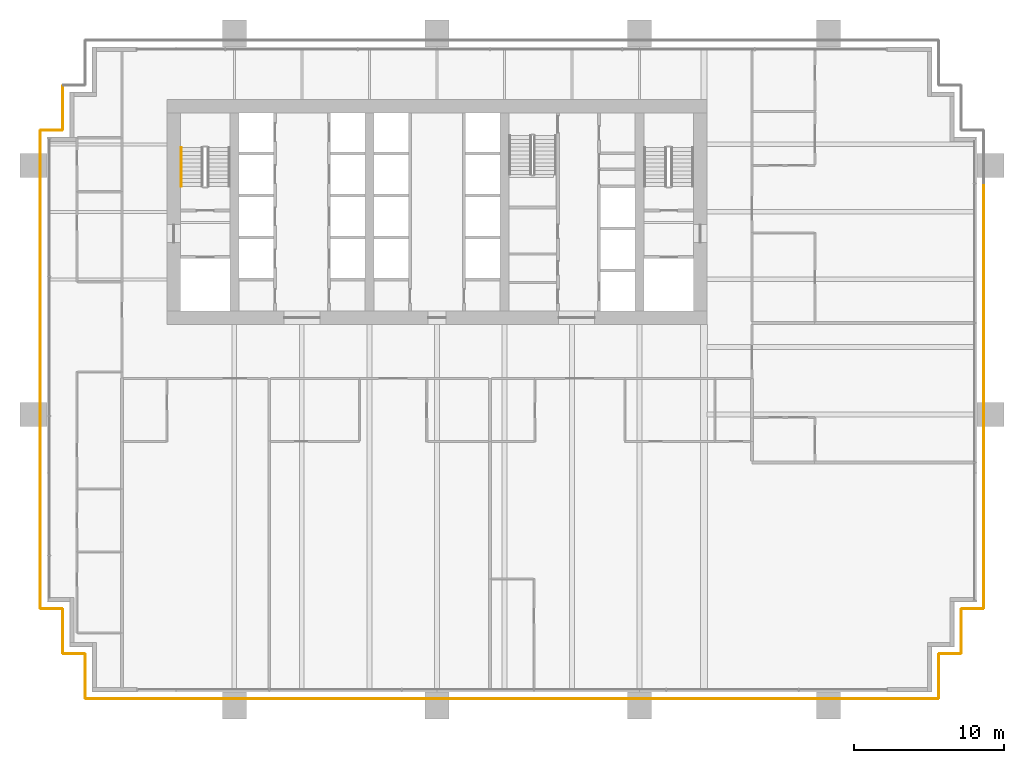
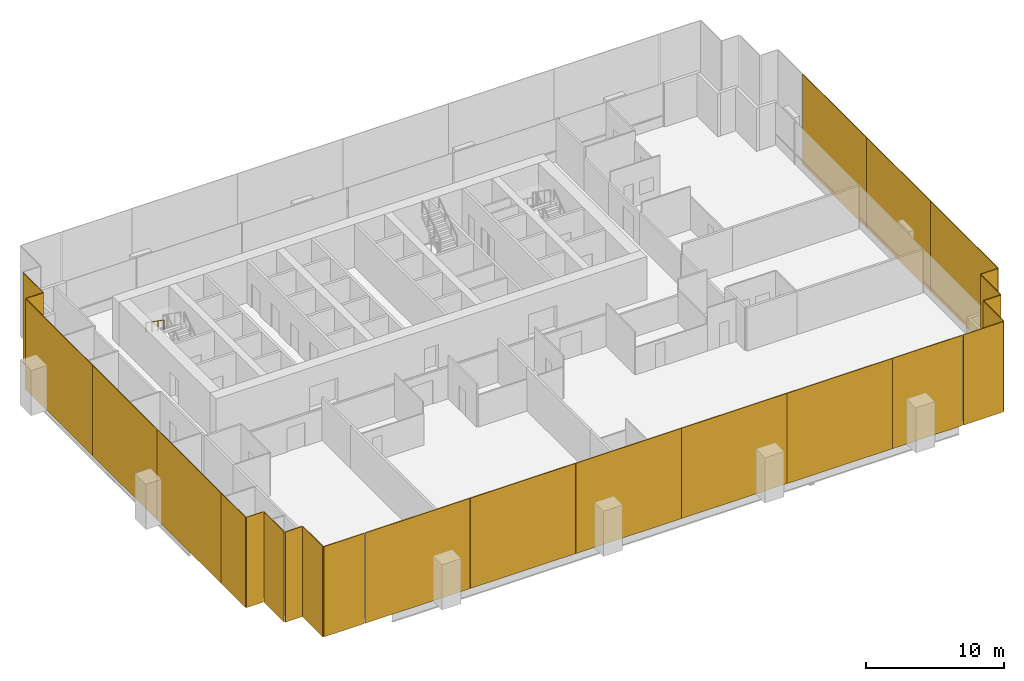
# One storey, part 17 of 19: 25 coverings, 1 railing.
"""IFC4 building model written with IfcOpenShell, lengths in metres."""

from ifc_helpers import new_model, si_unit, direction, frame, origin, origin_2d, place, context, subcontext, project, spatial, rectangle, extrude, material, layer, layer_set, type_object, element, save


model = new_model("IFC4")

# Units and contexts
model_context = context("Model", 3, precision=1e-05, world=origin(), true_north=direction((0.0, 1.0)))
body_context = subcontext(model_context, "Body", "Model", "MODEL_VIEW")
ifc_project = project(units=[si_unit("LENGTHUNIT", "METRE"), si_unit("AREAUNIT", "SQUARE_METRE"), si_unit("VOLUMEUNIT", "CUBIC_METRE"), si_unit("PLANEANGLEUNIT", "RADIAN"), si_unit("MASSUNIT", "GRAM", prefix="KILO")], contexts=[model_context])

# Site, building, storey
site_placement = place(None, origin())
site = spatial("IfcSite", under=ifc_project, at=site_placement, CompositionType="ELEMENT")
building_placement = place(site_placement, origin())
building = spatial("IfcBuilding", under=site, at=building_placement, Name="Rattan Terrace Tower", CompositionType="ELEMENT")
storey_placement = place(building_placement, frame((0.0, 0.0, 79.699951171875)))
storey = spatial("IfcBuildingStorey", under=building, at=storey_placement, Name="L17", CompositionType="ELEMENT", Elevation=79.699951171875)

# Railing
ifc_material_1 = material(Name="Powder-coated steel handrail", Category="steel")
railing_type = type_object("IfcRailingType", Name="Core stair handrail", PredefinedType="HANDRAIL", material=ifc_material_1)
railing_placement = place(storey_placement, frame((-17.050048828125, 4.300048828125, 2.181884765625)))
element("IfcRailing", 1, at=railing_placement, inside=storey, type_object=railing_type, Name="L17 S1 stair handrail 2", PredefinedType="HANDRAIL", context=body_context, shape_type="SweptSolid", body=[
    extrude(rectangle(XDim=0.048095703125, YDim=0.048095703125, at=origin_2d()), frame((0.0, 0.0, 0.8759765625), z_axis=(0.0, -0.819521025635, 0.573049115296), x_axis=(1.0, 0.0, 0.0)), (0.0, 0.0, 1.0), 3.172607421875),
    extrude(rectangle(XDim=0.0419921875, YDim=0.0419921875, at=origin_2d()), origin(), (0.0, 0.0, 1.0), 0.851806640625),
    extrude(rectangle(XDim=0.0419921875, YDim=0.0419921875, at=origin_2d()), frame((0.0, -0.86669921875, 0.60595703125)), (0.0, 0.0, 1.0), 0.851806640625),
    extrude(rectangle(XDim=0.0419921875, YDim=0.0419921875, at=origin_2d()), frame((0.0, -1.7333984375, 1.212158203125)), (0.0, 0.0, 1.0), 0.851806640625),
    extrude(rectangle(XDim=0.0419921875, YDim=0.0419921875, at=origin_2d()), frame((0.0, -2.60009765625, 1.818115234375)), (0.0, 0.0, 1.0), 0.851806640625),
])

# Coverings
ifc_material_2 = material(Name="Perforated terracotta", Category="masonry")
ifc_layer = layer(ifc_material_2, 0.06005859375)
ifc_layer_set = layer_set([ifc_layer], Name="Facade Terracotta Screen Panel")
covering_type = type_object("IfcCoveringType", Name="Facade Terracotta Screen Panel", PredefinedType="CLADDING", material=ifc_layer_set)
covering_1_placement = place(storey_placement, frame((31.72509765625, -32.449951171875, -0.18994140625), z_axis=(0.0, 0.0, 1.0), x_axis=(1.0, 0.0, 0.0)))
element("IfcCovering", 2, at=covering_1_placement, inside=storey, type_object=covering_type, Name="OUTER SKIN panel L17-1", PredefinedType="CLADDING", context=body_context, shape_type="SweptSolid", body=[
    extrude(rectangle(XDim=3.3701171875, YDim=0.06005859375, at=origin_2d()), origin(), (0.0, 0.0, 1.0), 7.97998046875),
])
covering_2_placement = place(storey_placement, frame((33.449951171875, -30.949951171875, -0.18994140625), z_axis=(0.0, 0.0, 1.0), x_axis=(0.0, 1.0, 0.0)))
element("IfcCovering", 3, at=covering_2_placement, inside=storey, type_object=covering_type, Name="OUTER SKIN panel L17-2", PredefinedType="CLADDING", context=body_context, shape_type="SweptSolid", body=[
    extrude(rectangle(XDim=2.919921875, YDim=0.06005859375, at=origin_2d()), origin(), (0.0, 0.0, 1.0), 7.97998046875),
])
covering_3_placement = place(storey_placement, frame((34.199951171875, -29.449951171875, -0.18994140625), z_axis=(0.0, 0.0, 1.0), x_axis=(1.0, 0.0, 0.0)))
element("IfcCovering", 4, at=covering_3_placement, inside=storey, type_object=covering_type, Name="OUTER SKIN panel L17-3", PredefinedType="CLADDING", context=body_context, shape_type="SweptSolid", body=[
    extrude(rectangle(XDim=1.419921875, YDim=0.06005859375, at=origin_2d()), origin(), (0.0, 0.0, 1.0), 7.97998046875),
])
covering_4_placement = place(storey_placement, frame((34.949951171875, -27.949951171875, -0.18994140625), z_axis=(0.0, 0.0, 1.0), x_axis=(0.0, 1.0, 0.0)))
element("IfcCovering", 5, at=covering_4_placement, inside=storey, type_object=covering_type, Name="OUTER SKIN panel L17-4", PredefinedType="CLADDING", context=body_context, shape_type="SweptSolid", body=[
    extrude(rectangle(XDim=2.919921875, YDim=0.06005859375, at=origin_2d()), origin(), (0.0, 0.0, 1.0), 7.97998046875),
])
covering_5_placement = place(storey_placement, frame((35.699951171875, -26.449951171875, -0.18994140625), z_axis=(0.0, 0.0, 1.0), x_axis=(1.0, 0.0, 0.0)))
element("IfcCovering", 6, at=covering_5_placement, inside=storey, type_object=covering_type, Name="OUTER SKIN panel L17-5", PredefinedType="CLADDING", context=body_context, shape_type="SweptSolid", body=[
    extrude(rectangle(XDim=1.419921875, YDim=0.06005859375, at=origin_2d()), origin(), (0.0, 0.0, 1.0), 7.97998046875),
])
covering_6_placement = place(storey_placement, frame((36.449951171875, -21.56005859375, -0.18994140625), z_axis=(0.0, 0.0, 1.0), x_axis=(0.0, 1.0, 0.0)))
element("IfcCovering", 7, at=covering_6_placement, inside=storey, type_object=covering_type, Name="OUTER SKIN panel L17-6", PredefinedType="CLADDING", context=body_context, shape_type="SweptSolid", body=[
    extrude(rectangle(XDim=9.699951171875, YDim=0.06005859375, at=origin_2d()), origin(), (0.0, 0.0, 1.0), 7.97998046875),
])
for number, where, z_axis, x_axis, name in (
    (8, (36.449951171875, -12.050048828125, -0.18994140625), (0.0, 0.0, 1.0), (0.0, 1.0, 0.0), "OUTER SKIN panel L17-7"),
    (9, (36.449951171875, -2.75, -0.18994140625), (0.0, 0.0, 1.0), (0.0, 1.0, 0.0), "OUTER SKIN panel L17-8"),
):
    element("IfcCovering", number, at=place(storey_placement, frame(where, z_axis=z_axis, x_axis=x_axis)), inside=storey, type_object=covering_type, Name=name, PredefinedType="CLADDING", context=body_context, shape_type="SweptSolid", body=[
        extrude(rectangle(XDim=9.280029296875, YDim=0.06005859375, at=origin_2d()), origin(), (0.0, 0.0, 1.0), 7.97998046875),
    ])
covering_7_placement = place(storey_placement, frame((-24.949951171875, 6.949951171875, -0.18994140625), z_axis=(0.0, 0.0, 1.0), x_axis=(0.0, -1.0, 0.0)))
element("IfcCovering", 10, at=covering_7_placement, inside=storey, type_object=covering_type, Name="OUTER SKIN panel L17-24", PredefinedType="CLADDING", context=body_context, shape_type="SweptSolid", body=[
    extrude(rectangle(XDim=2.919921875, YDim=0.06005859375, at=origin_2d()), origin(), (0.0, 0.0, 1.0), 7.97998046875),
])
covering_8_placement = place(storey_placement, frame((-25.699951171875, 5.449951171875, -0.18994140625), z_axis=(0.0, 0.0, 1.0), x_axis=(-1.0, 0.0, 0.0)))
element("IfcCovering", 11, at=covering_8_placement, inside=storey, type_object=covering_type, Name="OUTER SKIN panel L17-25", PredefinedType="CLADDING", context=body_context, shape_type="SweptSolid", body=[
    extrude(rectangle(XDim=1.419921875, YDim=0.06005859375, at=origin_2d()), origin(), (0.0, 0.0, 1.0), 7.97998046875),
])
covering_9_placement = place(storey_placement, frame((-26.449951171875, 0.56005859375, -0.18994140625), z_axis=(0.0, 0.0, 1.0), x_axis=(0.0, -1.0, 0.0)))
element("IfcCovering", 12, at=covering_9_placement, inside=storey, type_object=covering_type, Name="OUTER SKIN panel L17-26", PredefinedType="CLADDING", context=body_context, shape_type="SweptSolid", body=[
    extrude(rectangle(XDim=9.699951171875, YDim=0.06005859375, at=origin_2d()), origin(), (0.0, 0.0, 1.0), 7.97998046875),
])
for number, where, z_axis, x_axis, name in (
    (13, (-26.449951171875, -8.949951171875, -0.18994140625), (0.0, 0.0, 1.0), (0.0, -1.0, 0.0), "OUTER SKIN panel L17-27"),
    (14, (-26.449951171875, -18.25, -0.18994140625), (0.0, 0.0, 1.0), (0.0, -1.0, 0.0), "OUTER SKIN panel L17-28"),
):
    element("IfcCovering", number, at=place(storey_placement, frame(where, z_axis=z_axis, x_axis=x_axis)), inside=storey, type_object=covering_type, Name=name, PredefinedType="CLADDING", context=body_context, shape_type="SweptSolid", body=[
        extrude(rectangle(XDim=9.280029296875, YDim=0.06005859375, at=origin_2d()), origin(), (0.0, 0.0, 1.0), 7.97998046875),
    ])
covering_10_placement = place(storey_placement, frame((-26.449951171875, -24.659912109375, -0.18994140625), z_axis=(0.0, 0.0, 1.0), x_axis=(0.0, -1.0, 0.0)))
element("IfcCovering", 15, at=covering_10_placement, inside=storey, type_object=covering_type, Name="OUTER SKIN panel L17-29", PredefinedType="CLADDING", context=body_context, shape_type="SweptSolid", body=[
    extrude(rectangle(XDim=3.5, YDim=0.06005859375, at=origin_2d()), origin(), (0.0, 0.0, 1.0), 7.97998046875),
])
covering_11_placement = place(storey_placement, frame((-25.699951171875, -26.449951171875, -0.18994140625), z_axis=(0.0, 0.0, 1.0), x_axis=(1.0, 0.0, 0.0)))
element("IfcCovering", 16, at=covering_11_placement, inside=storey, type_object=covering_type, Name="OUTER SKIN panel L17-30", PredefinedType="CLADDING", context=body_context, shape_type="SweptSolid", body=[
    extrude(rectangle(XDim=1.419921875, YDim=0.06005859375, at=origin_2d()), origin(), (0.0, 0.0, 1.0), 7.97998046875),
])
covering_12_placement = place(storey_placement, frame((-24.949951171875, -27.949951171875, -0.18994140625), z_axis=(0.0, 0.0, 1.0), x_axis=(0.0, -1.0, 0.0)))
element("IfcCovering", 17, at=covering_12_placement, inside=storey, type_object=covering_type, Name="OUTER SKIN panel L17-31", PredefinedType="CLADDING", context=body_context, shape_type="SweptSolid", body=[
    extrude(rectangle(XDim=2.919921875, YDim=0.06005859375, at=origin_2d()), origin(), (0.0, 0.0, 1.0), 7.97998046875),
])
covering_13_placement = place(storey_placement, frame((-24.199951171875, -29.449951171875, -0.18994140625), z_axis=(0.0, 0.0, 1.0), x_axis=(1.0, 0.0, 0.0)))
element("IfcCovering", 18, at=covering_13_placement, inside=storey, type_object=covering_type, Name="OUTER SKIN panel L17-32", PredefinedType="CLADDING", context=body_context, shape_type="SweptSolid", body=[
    extrude(rectangle(XDim=1.419921875, YDim=0.06005859375, at=origin_2d()), origin(), (0.0, 0.0, 1.0), 7.97998046875),
])
covering_14_placement = place(storey_placement, frame((-23.449951171875, -30.949951171875, -0.18994140625), z_axis=(0.0, 0.0, 1.0), x_axis=(0.0, -1.0, 0.0)))
element("IfcCovering", 19, at=covering_14_placement, inside=storey, type_object=covering_type, Name="OUTER SKIN panel L17-33", PredefinedType="CLADDING", context=body_context, shape_type="SweptSolid", body=[
    extrude(rectangle(XDim=2.919921875, YDim=0.06005859375, at=origin_2d()), origin(), (0.0, 0.0, 1.0), 7.97998046875),
])
covering_15_placement = place(storey_placement, frame((-21.72509765625, -32.449951171875, -0.18994140625), z_axis=(0.0, 0.0, 1.0), x_axis=(1.0, 0.0, 0.0)))
element("IfcCovering", 20, at=covering_15_placement, inside=storey, type_object=covering_type, Name="OUTER SKIN panel L17-34", PredefinedType="CLADDING", context=body_context, shape_type="SweptSolid", body=[
    extrude(rectangle(XDim=3.3701171875, YDim=0.06005859375, at=origin_2d()), origin(), (0.0, 0.0, 1.0), 7.97998046875),
])
covering_16_placement = place(storey_placement, frame((-15.573486328125, -32.449951171875, -0.18994140625), z_axis=(0.0, 0.0, 1.0), x_axis=(1.0, 0.0, 0.0)))
element("IfcCovering", 21, at=covering_16_placement, inside=storey, type_object=covering_type, Name="OUTER SKIN panel L17-35", PredefinedType="CLADDING", context=body_context, shape_type="SweptSolid", body=[
    extrude(rectangle(XDim=8.77294921875, YDim=0.06005859375, at=origin_2d()), origin(), (0.0, 0.0, 1.0), 7.97998046875),
])
for number, where, z_axis, x_axis, name in (
    (22, (-6.765380859375, -32.449951171875, -0.18994140625), (0.0, 0.0, 1.0), (1.0, 0.0, 0.0), "OUTER SKIN panel L17-36"),
    (23, (2.0576171875, -32.449951171875, -0.18994140625), (0.0, 0.0, 1.0), (1.0, 0.0, 0.0), "OUTER SKIN panel L17-37"),
    (24, (10.880615234375, -32.449951171875, -0.18994140625), (0.0, 0.0, 1.0), (1.0, 0.0, 0.0), "OUTER SKIN panel L17-38"),
    (25, (19.70361328125, -32.449951171875, -0.18994140625), (0.0, 0.0, 1.0), (1.0, 0.0, 0.0), "OUTER SKIN panel L17-39"),
):
    element("IfcCovering", number, at=place(storey_placement, frame(where, z_axis=z_axis, x_axis=x_axis)), inside=storey, type_object=covering_type, Name=name, PredefinedType="CLADDING", context=body_context, shape_type="SweptSolid", body=[
        extrude(rectangle(XDim=8.802978515625, YDim=0.06005859375, at=origin_2d()), origin(), (0.0, 0.0, 1.0), 7.97998046875),
    ])
covering_17_placement = place(storey_placement, frame((27.04248046875, -32.449951171875, -0.18994140625), z_axis=(0.0, 0.0, 1.0), x_axis=(1.0, 0.0, 0.0)))
element("IfcCovering", 26, at=covering_17_placement, inside=storey, type_object=covering_type, Name="OUTER SKIN panel L17-40", PredefinedType="CLADDING", context=body_context, shape_type="SweptSolid", body=[
    extrude(rectangle(XDim=5.8349609375, YDim=0.06005859375, at=origin_2d()), origin(), (0.0, 0.0, 1.0), 7.97998046875),
])

save(model, "model.ifc")
